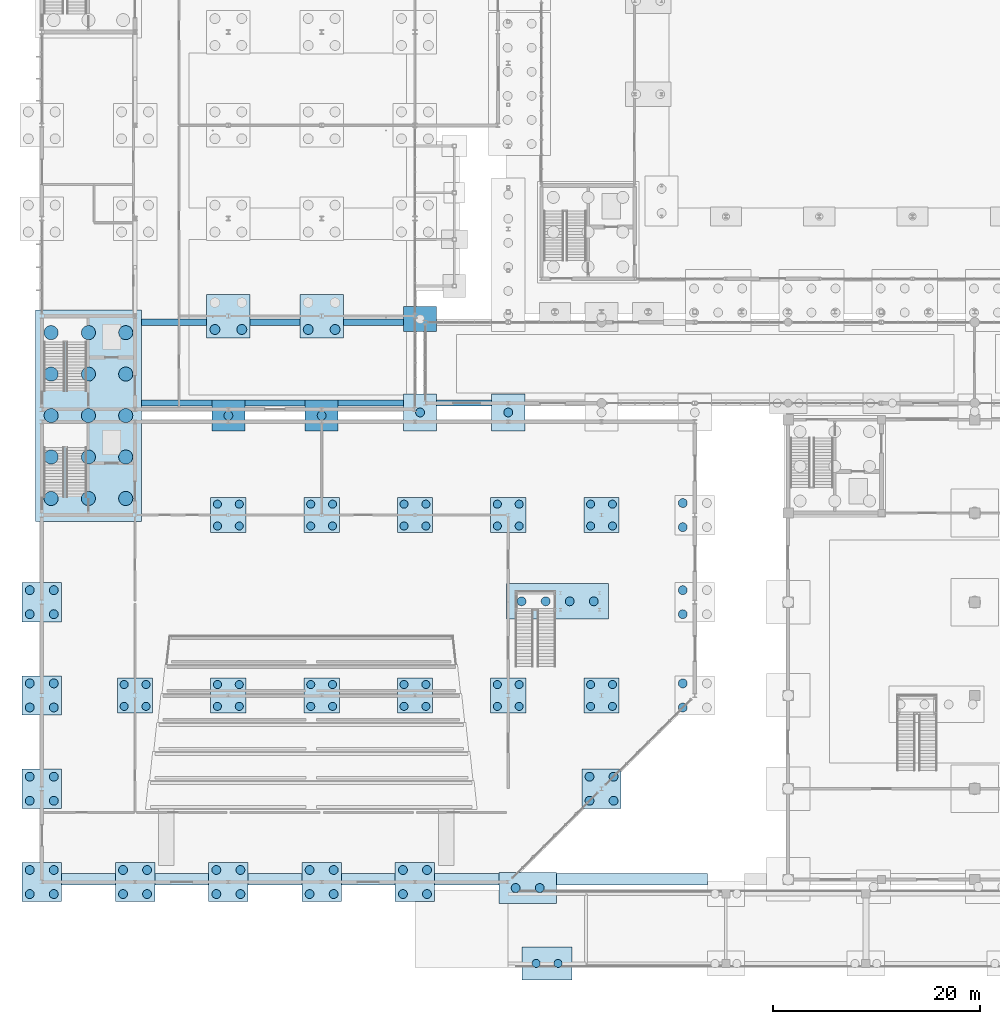
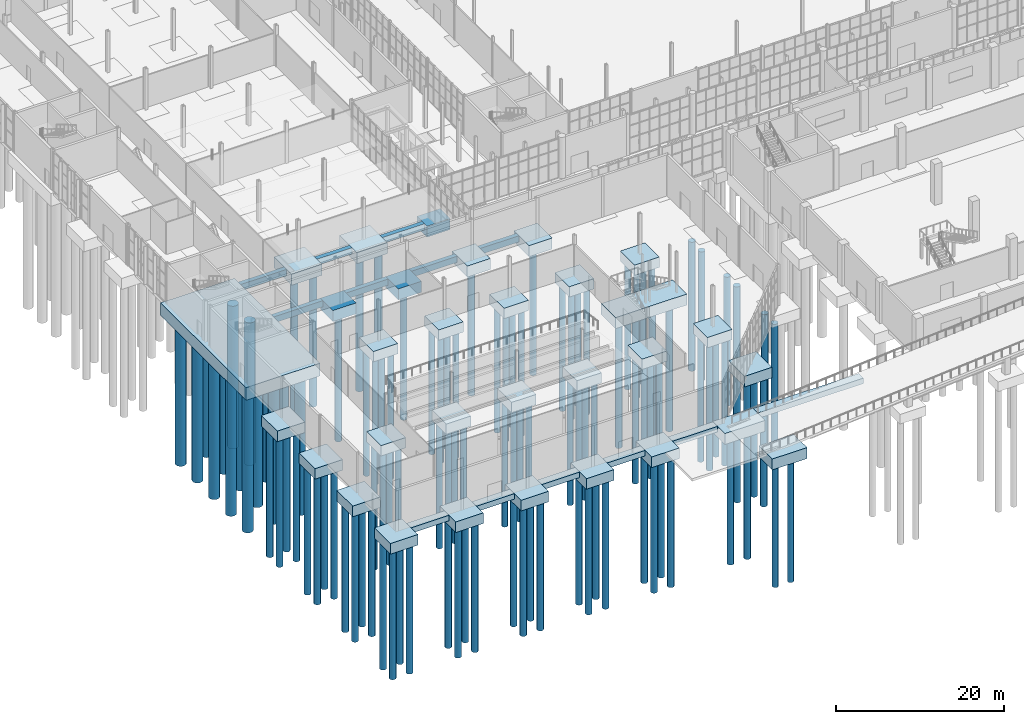
# One storey, part 1 of 131: 117 piles, 44 footings.
"""IFC4 building model written with IfcOpenShell, lengths in metres."""

import ifcopenshell
import ifcopenshell.guid

model = None  # the IFC model being written
_history = None  # IfcOwnerHistory: only IFC2X3 demands one
_inside = {}  # id of a spatial element -> (the spatial element, [elements in it])
_under = {}  # id of a project, library or spatial element -> (it, [spatial elements below it])
_declared = {}  # id of a project -> (the project, [libraries it declares])
_typed = {}  # id of a type object -> (the type object, [elements of that type])
_made_of = {}  # id of a material, layer set ... -> (it, [elements and type objects made of it])


def new_model(schema):
    """Start an empty IFC model of exactly this schema.

    Asked for "IFC4X3", IfcOpenShell would pick the latest addendum, in which some entities
    have other attributes; the version numbers below select the first issue.
    IFC2X3 requires an IfcOwnerHistory on every rooted entity: one is made here for all.
    """
    global model, _history
    if schema == "IFC4X3":
        model = ifcopenshell.file(schema_version=(4, 3, 0, 0))
    else:
        model = ifcopenshell.file(schema=schema)
    _inside.clear()
    _under.clear()
    _declared.clear()
    _typed.clear()
    _made_of.clear()
    _history = None
    if model.schema == "IFC2X3":
        org = make("IfcOrganization", Name="unknown")
        user = make(
            "IfcPersonAndOrganization",
            ThePerson=make("IfcPerson", FamilyName="unknown"),
            TheOrganization=org,
        )
        app = make(
            "IfcApplication",
            ApplicationDeveloper=org,
            Version="unknown",
            ApplicationFullName="unknown",
            ApplicationIdentifier="unknown",
        )
        _history = make(
            "IfcOwnerHistory",
            OwningUser=user,
            OwningApplication=app,
            ChangeAction="ADDED",
            CreationDate=0,
        )
    return model


def make(cls, **values):
    """One entity of the class cls with the attributes given. An attribute that is None is left unset."""
    return model.create_entity(
        cls, **{name: value for name, value in values.items() if value is not None}
    )


def rooted(cls, **values):
    """An entity with a GlobalId (a new one), such as an element, a storey or a relation."""
    return make(cls, GlobalId=ifcopenshell.guid.new(), OwnerHistory=_history, **values)


def si_unit(unit_type, name, prefix=None):
    """IfcSIUnit, for example si_unit("LENGTHUNIT", "METRE", prefix="MILLI")."""
    return make("IfcSIUnit", UnitType=unit_type, Prefix=prefix, Name=name)


def assignment(units):
    """IfcUnitAssignment: the units of a project."""
    return None if units is None else make("IfcUnitAssignment", Units=units)


def point(xyz):
    """IfcCartesianPoint."""
    return None if xyz is None else make("IfcCartesianPoint", Coordinates=xyz)


def direction(xyz):
    """IfcDirection."""
    return None if xyz is None else make("IfcDirection", DirectionRatios=xyz)


def frame(location, z_axis=None, x_axis=None):
    """IfcAxis2Placement3D, a coordinate frame: its origin and axes. An axis left out is left unset."""
    return make(
        "IfcAxis2Placement3D",
        Location=point(location),
        Axis=direction(z_axis),
        RefDirection=direction(x_axis),
    )


def frame_2d(location, x_axis=None):
    """IfcAxis2Placement2D, a coordinate frame in the plane: its origin and x axis."""
    return make(
        "IfcAxis2Placement2D", Location=point(location), RefDirection=direction(x_axis)
    )


def origin():
    """The frame at (0, 0, 0) with its axes left unset."""
    return frame((0.0, 0.0, 0.0))


def origin_2d():
    """The frame at (0, 0) in the plane with its x axis left unset."""
    return frame_2d((0.0, 0.0))


def place(relative_to, where):
    """IfcLocalPlacement: puts the frame where relative to a parent placement (None: the world)."""
    return make(
        "IfcLocalPlacement", PlacementRelTo=relative_to, RelativePlacement=where
    )


def context(
    kind, dimensions, precision=None, world=None, true_north=None, identifier=None
):
    """IfcGeometricRepresentationContext, for example the 3D "Model" context."""
    return make(
        "IfcGeometricRepresentationContext",
        ContextIdentifier=identifier,
        ContextType=kind,
        CoordinateSpaceDimension=dimensions,
        Precision=precision,
        WorldCoordinateSystem=world,
        TrueNorth=true_north,
    )


def subcontext(parent, identifier, kind, view, scale=None):
    """IfcGeometricRepresentationSubContext, for example "Body" below "Model"."""
    return make(
        "IfcGeometricRepresentationSubContext",
        ContextIdentifier=identifier,
        ContextType=kind,
        ParentContext=parent,
        TargetScale=scale,
        TargetView=view,
    )


def project(units=None, contexts=None):
    """IfcProject with its units and contexts."""
    return rooted(
        "IfcProject",
        Name="project",
        RepresentationContexts=contexts,
        UnitsInContext=assignment(units),
    )


def spatial(cls, under=None, at=None, **own):
    """A site, building, storey or space (cls), placed at a placement, below another one or the project."""
    s = rooted(cls, ObjectPlacement=at, **own)
    if under is not None:
        _under.setdefault(under.id(), (under, []))[1].append(s)
    return s


def profile(cls, at=None, kind="AREA", **sizes):
    """A parametric profile (cls). Its sizes go by their IFC names, for example OverallWidth=200.0."""
    return make(cls, ProfileType=kind, Position=at, **sizes)


def rectangle(**sizes):
    """IfcRectangleProfileDef."""
    return profile("IfcRectangleProfileDef", **sizes)


def circle(**sizes):
    """IfcCircleProfileDef."""
    return profile("IfcCircleProfileDef", **sizes)


def extrude(swept, where, along, depth):
    """IfcExtrudedAreaSolid: the profile swept, set in the frame where, extruded along a direction by depth."""
    return make(
        "IfcExtrudedAreaSolid",
        SweptArea=swept,
        Position=where,
        ExtrudedDirection=direction(along),
        Depth=depth,
    )


def shape(context_of_items, identifier, shape_type, items):
    """IfcShapeRepresentation: the items that make up one representation, for example the "Body"."""
    return make(
        "IfcShapeRepresentation",
        ContextOfItems=context_of_items,
        RepresentationIdentifier=identifier,
        RepresentationType=shape_type,
        Items=items,
    )


def material(Name=None, Category=None):
    """IfcMaterial."""
    return make("IfcMaterial", Name=Name, Category=Category)


def material_profile(
    of_material, cross_section, Name=None, Category=None, Priority=None
):
    """IfcMaterialProfile: a cross section and its material."""
    return make(
        "IfcMaterialProfile",
        Name=Name,
        Material=of_material,
        Profile=cross_section,
        Priority=Priority,
        Category=Category,
    )


def profile_set(profiles, Name=None, composite=None):
    """IfcMaterialProfileSet."""
    return make(
        "IfcMaterialProfileSet",
        Name=Name,
        MaterialProfiles=profiles,
        CompositeProfile=composite,
    )


def made_of(thing, what):
    """Note that an element or type object is made of a material, layer set ...; save() writes the relation."""
    if what is not None:
        _made_of.setdefault(what.id(), (what, []))[1].append(thing)
    return thing


def type_object(cls, material=None, **own):
    """A type object (cls), such as IfcWallType, which elements share."""
    return made_of(rooted(cls, **own), material)


def element(
    cls,
    number,
    at=None,
    inside=None,
    cuts=None,
    type_object=None,
    material=None,
    context=None,
    identifier="Body",
    shape_type=None,
    held_by="IfcProductDefinitionShape",
    body=None,
    shapes=None,
    **own,
):
    """One element of the class cls, such as IfcWall. Its Tag is "e" and its number.

    at: its placement. inside: the storey or other place that contains it. cuts: it is an
    opening in that element (IfcRelVoidsElement). A single representation is given by context,
    identifier, shape_type and body (its items); several are given by shapes. held_by: the class
    of the entity that holds the representations. save() writes the other relations.
    """
    e = rooted(cls, Tag="e%d" % number, ObjectPlacement=at, **own)
    if body is not None:
        shapes = [shape(context, identifier, shape_type, body)]
    if shapes is not None:
        e.Representation = make(held_by, Representations=shapes)
    if inside is not None:
        _inside.setdefault(inside.id(), (inside, []))[1].append(e)
    if cuts is not None:
        rooted(
            "IfcRelVoidsElement", RelatingBuildingElement=cuts, RelatedOpeningElement=e
        )
    if type_object is not None:
        _typed.setdefault(type_object.id(), (type_object, []))[1].append(e)
    return made_of(e, material)


def aggregate(whole, parts):
    """IfcRelAggregates: a whole, such as a stair, and the parts it consists of."""
    return rooted("IfcRelAggregates", RelatingObject=whole, RelatedObjects=parts)


def save(model, path):
    """Write the relations noted so far, then the file.

    IfcRelAggregates (storeys below a building ...), IfcRelContainedInSpatialStructure (elements
    in a storey), IfcRelDefinesByType, IfcRelAssociatesMaterial and IfcRelDeclares: one each for
    every whole, place, type object, material and project.
    """
    for whole, parts in _under.values():
        aggregate(whole, parts)
    for where, things in _inside.values():
        rooted(
            "IfcRelContainedInSpatialStructure",
            RelatedElements=things,
            RelatingStructure=where,
        )
    for kind, things in _typed.values():
        rooted("IfcRelDefinesByType", RelatedObjects=things, RelatingType=kind)
    for what, things in _made_of.values():
        rooted("IfcRelAssociatesMaterial", RelatedObjects=things, RelatingMaterial=what)
    for by, libraries in _declared.values():
        rooted("IfcRelDeclares", RelatingContext=by, RelatedDefinitions=libraries)
    model.write(path)


model = new_model("IFC4")

# Units and contexts
model_context = context("Model", 3, precision=1e-05, world=origin(), true_north=direction((0.0, 1.0)))
body_context = subcontext(model_context, "Body", "Model", "MODEL_VIEW")
ifc_project = project(units=[si_unit("LENGTHUNIT", "METRE"), si_unit("AREAUNIT", "SQUARE_METRE"), si_unit("VOLUMEUNIT", "CUBIC_METRE"), si_unit("PLANEANGLEUNIT", "RADIAN"), si_unit("MASSUNIT", "GRAM", prefix="KILO")], contexts=[model_context])

# Site, building, storey
site_placement = place(None, origin())
site = spatial("IfcSite", under=ifc_project, at=site_placement, CompositionType="ELEMENT")
building_placement = place(site_placement, origin())
building = spatial("IfcBuilding", under=site, at=building_placement, Name="Cazmaro Siding Exhibition Halls", CompositionType="ELEMENT")
storey_placement = place(building_placement, origin())
storey = spatial("IfcBuildingStorey", under=building, at=storey_placement, Name="L00", CompositionType="ELEMENT", Elevation=0.0)

# Footings
ifc_material_1 = material(Name="Concrete f'c 35 MPa", Category="concrete")
footing_type_1 = type_object("IfcFootingType", Name="GB-0480", PredefinedType="FOOTING_BEAM", material=ifc_material_1)
footing_1_placement = place(storey_placement, frame((22.5, 63.0, -0.89990234375), z_axis=(0.0, 0.0, 1.0), x_axis=(1.0, 0.0, 0.0)))
element("IfcFooting", 1, at=footing_1_placement, inside=storey, type_object=footing_type_1, Name="Seismic tie ground beam GB-0480 FTG-0264", PredefinedType="FOOTING_BEAM", context=body_context, shape_type="SweptSolid", body=[
    extrude(rectangle(XDim=4.800048828125, YDim=0.60009765625, at=origin_2d()), origin(), (0.0, 0.0, 1.0), 0.89990234375),
])
ifc_material_2 = material(Name="Concrete f'c 35 MPa", Category="concrete")
footing_type_2 = type_object("IfcFootingType", Name="GB-0530", PredefinedType="FOOTING_BEAM", material=ifc_material_2)
footing_2_placement = place(storey_placement, frame((40.75, 55.199951171875, -0.89990234375), z_axis=(0.0, 0.0, 1.0), x_axis=(1.0, 0.0, 0.0)))
element("IfcFooting", 2, at=footing_2_placement, inside=storey, type_object=footing_type_2, Name="Seismic tie ground beam GB-0530 FTG-0246", PredefinedType="FOOTING_BEAM", context=body_context, shape_type="SweptSolid", body=[
    extrude(rectangle(XDim=5.300048828125, YDim=0.60009765625, at=origin_2d()), origin(), (0.0, 0.0, 1.0), 0.89990234375),
])
ifc_material_3 = material(Name="Concrete f'c 35 MPa", Category="concrete")
footing_type_3 = type_object("IfcFootingType", Name="GB-0580", PredefinedType="FOOTING_BEAM", material=ifc_material_3)
for number, where, z_axis, x_axis, name in (
    (3, (22.5, 55.199951171875, -0.89990234375), (0.0, 0.0, 1.0), (1.0, 0.0, 0.0), "Seismic tie ground beam GB-0580 FTG-0244"),
    (4, (32.0, 63.0, -0.89990234375), (0.0, 0.0, 1.0), (1.0, 0.0, 0.0), "Seismic tie ground beam GB-0580 FTG-0265"),
):
    element("IfcFooting", number, at=place(storey_placement, frame(where, z_axis=z_axis, x_axis=x_axis)), inside=storey, type_object=footing_type_3, Name=name, PredefinedType="FOOTING_BEAM", context=body_context, shape_type="SweptSolid", body=[
        extrude(rectangle(XDim=5.800048828125, YDim=0.60009765625, at=origin_2d()), origin(), (0.0, 0.0, 1.0), 0.89990234375),
    ])
ifc_material_4 = material(Name="Concrete f'c 35 MPa", Category="concrete")
footing_type_4 = type_object("IfcFootingType", Name="GB-0630", PredefinedType="FOOTING_BEAM", material=ifc_material_4)
for number, where, z_axis, x_axis, name in (
    (5, (31.75, 55.199951171875, -0.89990234375), (0.0, 0.0, 1.0), (1.0, 0.0, 0.0), "Seismic tie ground beam GB-0630 FTG-0245"),
    (6, (12.75, 63.0, -0.89990234375), (0.0, 0.0, 1.0), (1.0, 0.0, 0.0), "Seismic tie ground beam GB-0630 FTG-0263"),
):
    element("IfcFooting", number, at=place(storey_placement, frame(where, z_axis=z_axis, x_axis=x_axis)), inside=storey, type_object=footing_type_4, Name=name, PredefinedType="FOOTING_BEAM", context=body_context, shape_type="SweptSolid", body=[
        extrude(rectangle(XDim=6.300048828125, YDim=0.60009765625, at=origin_2d()), origin(), (0.0, 0.0, 1.0), 0.89990234375),
    ])
ifc_material_5 = material(Name="Concrete f'c 35 MPa", Category="concrete")
footing_type_5 = type_object("IfcFootingType", Name="GB-0680", PredefinedType="FOOTING_BEAM", material=ifc_material_5)
footing_3_placement = place(storey_placement, frame((13.0, 55.199951171875, -0.89990234375), z_axis=(0.0, 0.0, 1.0), x_axis=(1.0, 0.0, 0.0)))
element("IfcFooting", 7, at=footing_3_placement, inside=storey, type_object=footing_type_5, Name="Seismic tie ground beam GB-0680 FTG-0243", PredefinedType="FOOTING_BEAM", context=body_context, shape_type="SweptSolid", body=[
    extrude(rectangle(XDim=6.800048828125, YDim=0.60009765625, at=origin_2d()), origin(), (0.0, 0.0, 1.0), 0.89990234375),
])

# Piles
ifc_material_6 = material(Name="Concrete f'c 35 MPa", Category="concrete")
ifc_material_profile_1 = material_profile(ifc_material_6, circle(Radius=0.389892578125, at=origin_2d()), Name="CIDH-780")
ifc_profile_set_1 = profile_set([ifc_material_profile_1], Name="Concrete f'c 35 MPa")
pile_type_1 = type_object("IfcPileType", Name="P-02", PredefinedType="BORED", material=ifc_profile_set_1)
for number, where, z_axis, x_axis, name in (
    (8, (7.947021484375, 25.947021484375, -1.39990234375), (0.0, 0.0, -1.0), (1.0, 0.0, 0.0), "Bored pile P-02 PIL-0110"),
    (9, (10.052978515625, 25.947021484375, -1.39990234375), (0.0, 0.0, -1.0), (1.0, 0.0, 0.0), "Bored pile P-02 PIL-0111"),
    (10, (7.947021484375, 28.052978515625, -1.39990234375), (0.0, 0.0, -1.0), (1.0, 0.0, 0.0), "Bored pile P-02 PIL-0112"),
    (11, (10.052978515625, 28.052978515625, -1.39990234375), (0.0, 0.0, -1.0), (1.0, 0.0, 0.0), "Bored pile P-02 PIL-0113"),
    (12, (16.947021484375, 25.947021484375, -1.39990234375), (0.0, 0.0, -1.0), (1.0, 0.0, 0.0), "Bored pile P-02 PIL-0138"),
    (13, (19.052978515625, 25.947021484375, -1.39990234375), (0.0, 0.0, -1.0), (1.0, 0.0, 0.0), "Bored pile P-02 PIL-0139"),
    (14, (16.947021484375, 28.052978515625, -1.39990234375), (0.0, 0.0, -1.0), (1.0, 0.0, 0.0), "Bored pile P-02 PIL-0140"),
    (15, (19.052978515625, 28.052978515625, -1.39990234375), (0.0, 0.0, -1.0), (1.0, 0.0, 0.0), "Bored pile P-02 PIL-0141"),
    (16, (16.947021484375, 43.346923828125, -1.39990234375), (0.0, 0.0, -1.0), (1.0, 0.0, 0.0), "Bored pile P-02 PIL-0142"),
    (17, (19.052978515625, 43.346923828125, -1.39990234375), (0.0, 0.0, -1.0), (1.0, 0.0, 0.0), "Bored pile P-02 PIL-0143"),
    (18, (16.947021484375, 45.452880859375, -1.39990234375), (0.0, 0.0, -1.0), (1.0, 0.0, 0.0), "Bored pile P-02 PIL-0144"),
    (19, (19.052978515625, 45.452880859375, -1.39990234375), (0.0, 0.0, -1.0), (1.0, 0.0, 0.0), "Bored pile P-02 PIL-0145"),
    (20, (25.947021484375, 25.947021484375, -1.39990234375), (0.0, 0.0, -1.0), (1.0, 0.0, 0.0), "Bored pile P-02 PIL-0183"),
    (21, (28.052978515625, 25.947021484375, -1.39990234375), (0.0, 0.0, -1.0), (1.0, 0.0, 0.0), "Bored pile P-02 PIL-0184"),
    (22, (25.947021484375, 28.052978515625, -1.39990234375), (0.0, 0.0, -1.0), (1.0, 0.0, 0.0), "Bored pile P-02 PIL-0185"),
    (23, (28.052978515625, 28.052978515625, -1.39990234375), (0.0, 0.0, -1.0), (1.0, 0.0, 0.0), "Bored pile P-02 PIL-0186"),
    (24, (25.947021484375, 43.346923828125, -1.39990234375), (0.0, 0.0, -1.0), (1.0, 0.0, 0.0), "Bored pile P-02 PIL-0187"),
    (25, (28.052978515625, 43.346923828125, -1.39990234375), (0.0, 0.0, -1.0), (1.0, 0.0, 0.0), "Bored pile P-02 PIL-0188"),
    (26, (25.947021484375, 45.452880859375, -1.39990234375), (0.0, 0.0, -1.0), (1.0, 0.0, 0.0), "Bored pile P-02 PIL-0189"),
    (27, (28.052978515625, 45.452880859375, -1.39990234375), (0.0, 0.0, -1.0), (1.0, 0.0, 0.0), "Bored pile P-02 PIL-0190"),
    (28, (34.947021484375, 25.947021484375, -1.39990234375), (0.0, 0.0, -1.0), (1.0, 0.0, 0.0), "Bored pile P-02 PIL-0228"),
    (29, (37.052978515625, 25.947021484375, -1.39990234375), (0.0, 0.0, -1.0), (1.0, 0.0, 0.0), "Bored pile P-02 PIL-0229"),
    (30, (34.947021484375, 28.052978515625, -1.39990234375), (0.0, 0.0, -1.0), (1.0, 0.0, 0.0), "Bored pile P-02 PIL-0230"),
    (31, (37.052978515625, 28.052978515625, -1.39990234375), (0.0, 0.0, -1.0), (1.0, 0.0, 0.0), "Bored pile P-02 PIL-0231"),
    (32, (34.947021484375, 43.346923828125, -1.39990234375), (0.0, 0.0, -1.0), (1.0, 0.0, 0.0), "Bored pile P-02 PIL-0232"),
    (33, (37.052978515625, 43.346923828125, -1.39990234375), (0.0, 0.0, -1.0), (1.0, 0.0, 0.0), "Bored pile P-02 PIL-0233"),
    (34, (34.947021484375, 45.452880859375, -1.39990234375), (0.0, 0.0, -1.0), (1.0, 0.0, 0.0), "Bored pile P-02 PIL-0234"),
    (35, (37.052978515625, 45.452880859375, -1.39990234375), (0.0, 0.0, -1.0), (1.0, 0.0, 0.0), "Bored pile P-02 PIL-0235"),
    (36, (43.947021484375, 25.947021484375, -1.39990234375), (0.0, 0.0, -1.0), (1.0, 0.0, 0.0), "Bored pile P-02 PIL-0305"),
    (37, (46.052978515625, 25.947021484375, -1.39990234375), (0.0, 0.0, -1.0), (1.0, 0.0, 0.0), "Bored pile P-02 PIL-0306"),
    (38, (43.947021484375, 28.052978515625, -1.39990234375), (0.0, 0.0, -1.0), (1.0, 0.0, 0.0), "Bored pile P-02 PIL-0307"),
    (39, (46.052978515625, 28.052978515625, -1.39990234375), (0.0, 0.0, -1.0), (1.0, 0.0, 0.0), "Bored pile P-02 PIL-0308"),
    (40, (43.947021484375, 43.346923828125, -1.39990234375), (0.0, 0.0, -1.0), (1.0, 0.0, 0.0), "Bored pile P-02 PIL-0309"),
    (41, (46.052978515625, 43.346923828125, -1.39990234375), (0.0, 0.0, -1.0), (1.0, 0.0, 0.0), "Bored pile P-02 PIL-0310"),
    (42, (43.947021484375, 45.452880859375, -1.39990234375), (0.0, 0.0, -1.0), (1.0, 0.0, 0.0), "Bored pile P-02 PIL-0311"),
    (43, (46.052978515625, 45.452880859375, -1.39990234375), (0.0, 0.0, -1.0), (1.0, 0.0, 0.0), "Bored pile P-02 PIL-0312"),
    (44, (47.697021484375, 1.14990234375, -1.5), (0.0, 0.0, -1.0), (1.0, 0.0, 0.0), "Bored pile P-02 PIL-0324"),
    (45, (49.802978515625, 1.14990234375, -1.5), (0.0, 0.0, -1.0), (1.0, 0.0, 0.0), "Bored pile P-02 PIL-0325"),
    (46, (52.947021484375, 25.947021484375, -1.39990234375), (0.0, 0.0, -1.0), (1.0, 0.0, 0.0), "Bored pile P-02 PIL-0332"),
    (47, (55.052978515625, 25.947021484375, -1.39990234375), (0.0, 0.0, -1.0), (1.0, 0.0, 0.0), "Bored pile P-02 PIL-0333"),
    (48, (52.947021484375, 28.052978515625, -1.39990234375), (0.0, 0.0, -1.0), (1.0, 0.0, 0.0), "Bored pile P-02 PIL-0334"),
    (49, (55.052978515625, 28.052978515625, -1.39990234375), (0.0, 0.0, -1.0), (1.0, 0.0, 0.0), "Bored pile P-02 PIL-0335"),
    (50, (52.947021484375, 43.346923828125, -1.39990234375), (0.0, 0.0, -1.0), (1.0, 0.0, 0.0), "Bored pile P-02 PIL-0336"),
    (51, (55.052978515625, 43.346923828125, -1.39990234375), (0.0, 0.0, -1.0), (1.0, 0.0, 0.0), "Bored pile P-02 PIL-0337"),
    (52, (52.947021484375, 45.452880859375, -1.39990234375), (0.0, 0.0, -1.0), (1.0, 0.0, 0.0), "Bored pile P-02 PIL-0338"),
    (53, (55.052978515625, 45.452880859375, -1.39990234375), (0.0, 0.0, -1.0), (1.0, 0.0, 0.0), "Bored pile P-02 PIL-0339"),
):
    element("IfcPile", number, at=place(storey_placement, frame(where, z_axis=z_axis, x_axis=x_axis)), inside=storey, type_object=pile_type_1, Name=name, PredefinedType="BORED", context=body_context, shape_type="SweptSolid", body=[
        extrude(circle(Radius=0.389892578125, at=origin_2d()), origin(), (0.0, 0.0, 1.0), 18.39990234375),
    ])
ifc_material_7 = material(Name="Concrete f'c 35 MPa", Category="concrete")
ifc_material_profile_2 = material_profile(ifc_material_7, circle(Radius=0.429931640625, at=origin_2d()), Name="CIDH-860")
ifc_profile_set_2 = profile_set([ifc_material_profile_2], Name="Concrete f'c 35 MPa")
pile_type_2 = type_object("IfcPileType", Name="P-03", PredefinedType="BORED", material=ifc_profile_set_2)
for number, where, z_axis, x_axis, name in (
    (54, (-1.160888671875, 7.839111328125, -1.449951171875), (0.0, 0.0, -1.0), (1.0, 0.0, 0.0), "Bored pile P-03 PIL-0070"),
    (55, (1.160888671875, 7.839111328125, -1.449951171875), (0.0, 0.0, -1.0), (1.0, 0.0, 0.0), "Bored pile P-03 PIL-0071"),
    (56, (-1.160888671875, 10.160888671875, -1.449951171875), (0.0, 0.0, -1.0), (1.0, 0.0, 0.0), "Bored pile P-03 PIL-0072"),
    (57, (1.160888671875, 10.160888671875, -1.449951171875), (0.0, 0.0, -1.0), (1.0, 0.0, 0.0), "Bored pile P-03 PIL-0073"),
    (58, (-1.160888671875, 16.839111328125, -1.449951171875), (0.0, 0.0, -1.0), (1.0, 0.0, 0.0), "Bored pile P-03 PIL-0074"),
    (59, (1.160888671875, 16.839111328125, -1.449951171875), (0.0, 0.0, -1.0), (1.0, 0.0, 0.0), "Bored pile P-03 PIL-0075"),
    (60, (-1.160888671875, 19.160888671875, -1.449951171875), (0.0, 0.0, -1.0), (1.0, 0.0, 0.0), "Bored pile P-03 PIL-0076"),
    (61, (1.160888671875, 19.160888671875, -1.449951171875), (0.0, 0.0, -1.0), (1.0, 0.0, 0.0), "Bored pile P-03 PIL-0077"),
    (62, (-1.160888671875, 25.839111328125, -1.449951171875), (0.0, 0.0, -1.0), (1.0, 0.0, 0.0), "Bored pile P-03 PIL-0078"),
    (63, (1.160888671875, 25.839111328125, -1.449951171875), (0.0, 0.0, -1.0), (1.0, 0.0, 0.0), "Bored pile P-03 PIL-0079"),
    (64, (-1.160888671875, 28.160888671875, -1.449951171875), (0.0, 0.0, -1.0), (1.0, 0.0, 0.0), "Bored pile P-03 PIL-0080"),
    (65, (1.160888671875, 28.160888671875, -1.449951171875), (0.0, 0.0, -1.0), (1.0, 0.0, 0.0), "Bored pile P-03 PIL-0081"),
    (66, (-1.160888671875, 34.839111328125, -1.449951171875), (0.0, 0.0, -1.0), (1.0, 0.0, 0.0), "Bored pile P-03 PIL-0082"),
    (67, (1.160888671875, 34.839111328125, -1.449951171875), (0.0, 0.0, -1.0), (1.0, 0.0, 0.0), "Bored pile P-03 PIL-0083"),
    (68, (-1.160888671875, 37.160888671875, -1.449951171875), (0.0, 0.0, -1.0), (1.0, 0.0, 0.0), "Bored pile P-03 PIL-0084"),
    (69, (1.160888671875, 37.160888671875, -1.449951171875), (0.0, 0.0, -1.0), (1.0, 0.0, 0.0), "Bored pile P-03 PIL-0085"),
    (70, (7.839111328125, 7.839111328125, -1.449951171875), (0.0, 0.0, -1.0), (1.0, 0.0, 0.0), "Bored pile P-03 PIL-0106"),
    (71, (10.160888671875, 7.839111328125, -1.449951171875), (0.0, 0.0, -1.0), (1.0, 0.0, 0.0), "Bored pile P-03 PIL-0107"),
    (72, (7.839111328125, 10.160888671875, -1.449951171875), (0.0, 0.0, -1.0), (1.0, 0.0, 0.0), "Bored pile P-03 PIL-0108"),
    (73, (10.160888671875, 10.160888671875, -1.449951171875), (0.0, 0.0, -1.0), (1.0, 0.0, 0.0), "Bored pile P-03 PIL-0109"),
    (74, (16.839111328125, 7.839111328125, -1.449951171875), (0.0, 0.0, -1.0), (1.0, 0.0, 0.0), "Bored pile P-03 PIL-0134"),
    (75, (19.160888671875, 7.839111328125, -1.449951171875), (0.0, 0.0, -1.0), (1.0, 0.0, 0.0), "Bored pile P-03 PIL-0135"),
    (76, (16.839111328125, 10.160888671875, -1.449951171875), (0.0, 0.0, -1.0), (1.0, 0.0, 0.0), "Bored pile P-03 PIL-0136"),
    (77, (19.160888671875, 10.160888671875, -1.449951171875), (0.0, 0.0, -1.0), (1.0, 0.0, 0.0), "Bored pile P-03 PIL-0137"),
    (78, (18.0, 54.0, -1.5), (0.0, 0.0, -1.0), (1.0, 0.0, 0.0), "Bored pile P-03 PIL-0146"),
    (79, (25.839111328125, 7.839111328125, -1.449951171875), (0.0, 0.0, -1.0), (1.0, 0.0, 0.0), "Bored pile P-03 PIL-0179"),
    (80, (28.160888671875, 7.839111328125, -1.449951171875), (0.0, 0.0, -1.0), (1.0, 0.0, 0.0), "Bored pile P-03 PIL-0180"),
    (81, (25.839111328125, 10.160888671875, -1.449951171875), (0.0, 0.0, -1.0), (1.0, 0.0, 0.0), "Bored pile P-03 PIL-0181"),
    (82, (28.160888671875, 10.160888671875, -1.449951171875), (0.0, 0.0, -1.0), (1.0, 0.0, 0.0), "Bored pile P-03 PIL-0182"),
    (83, (27.0, 54.0, -1.5), (0.0, 0.0, -1.0), (1.0, 0.0, 0.0), "Bored pile P-03 PIL-0191"),
    (84, (34.839111328125, 7.839111328125, -1.449951171875), (0.0, 0.0, -1.0), (1.0, 0.0, 0.0), "Bored pile P-03 PIL-0224"),
    (85, (37.160888671875, 7.839111328125, -1.449951171875), (0.0, 0.0, -1.0), (1.0, 0.0, 0.0), "Bored pile P-03 PIL-0225"),
    (86, (34.839111328125, 10.160888671875, -1.449951171875), (0.0, 0.0, -1.0), (1.0, 0.0, 0.0), "Bored pile P-03 PIL-0226"),
    (87, (37.160888671875, 10.160888671875, -1.449951171875), (0.0, 0.0, -1.0), (1.0, 0.0, 0.0), "Bored pile P-03 PIL-0227"),
    (88, (36.5, 54.300048828125, -1.5), (0.0, 0.0, -1.0), (1.0, 0.0, 0.0), "Bored pile P-03 PIL-0236"),
    (89, (45.714111328125, 8.425048828125, -1.5), (0.0, 0.0, -1.0), (1.0, 0.0, 0.0), "Bored pile P-03 PIL-0303"),
    (90, (48.035888671875, 8.425048828125, -1.5), (0.0, 0.0, -1.0), (1.0, 0.0, 0.0), "Bored pile P-03 PIL-0304"),
    (91, (45.0, 54.300048828125, -1.5), (0.0, 0.0, -1.0), (1.0, 0.0, 0.0), "Bored pile P-03 PIL-0313"),
    (92, (46.287109375, 36.080078125, -1.5), (0.0, 0.0, -1.0), (1.0, 0.0, 0.0), "Bored pile P-03 PIL-0320"),
    (93, (48.60888671875, 36.080078125, -1.5), (0.0, 0.0, -1.0), (1.0, 0.0, 0.0), "Bored pile P-03 PIL-0321"),
    (94, (50.930908203125, 36.080078125, -1.5), (0.0, 0.0, -1.0), (1.0, 0.0, 0.0), "Bored pile P-03 PIL-0322"),
    (95, (53.2529296875, 36.080078125, -1.5), (0.0, 0.0, -1.0), (1.0, 0.0, 0.0), "Bored pile P-03 PIL-0323"),
    (96, (52.839111328125, 16.839111328125, -1.449951171875), (0.0, 0.0, -1.0), (1.0, 0.0, 0.0), "Bored pile P-03 PIL-0328"),
    (97, (55.160888671875, 16.839111328125, -1.449951171875), (0.0, 0.0, -1.0), (1.0, 0.0, 0.0), "Bored pile P-03 PIL-0329"),
    (98, (52.839111328125, 19.160888671875, -1.449951171875), (0.0, 0.0, -1.0), (1.0, 0.0, 0.0), "Bored pile P-03 PIL-0330"),
    (99, (55.160888671875, 19.160888671875, -1.449951171875), (0.0, 0.0, -1.0), (1.0, 0.0, 0.0), "Bored pile P-03 PIL-0331"),
    (100, (61.839111328125, 25.839111328125, -1.449951171875), (0.0, 0.0, -1.0), (1.0, 0.0, 0.0), "Bored pile P-03 PIL-0362"),
    (101, (61.839111328125, 28.160888671875, -1.449951171875), (0.0, 0.0, -1.0), (1.0, 0.0, 0.0), "Bored pile P-03 PIL-0364"),
    (102, (61.839111328125, 34.839111328125, -1.449951171875), (0.0, 0.0, -1.0), (1.0, 0.0, 0.0), "Bored pile P-03 PIL-0366"),
    (103, (61.839111328125, 37.160888671875, -1.449951171875), (0.0, 0.0, -1.0), (1.0, 0.0, 0.0), "Bored pile P-03 PIL-0368"),
    (104, (61.839111328125, 43.239013671875, -1.449951171875), (0.0, 0.0, -1.0), (1.0, 0.0, 0.0), "Bored pile P-03 PIL-0370"),
    (105, (61.839111328125, 45.56103515625, -1.449951171875), (0.0, 0.0, -1.0), (1.0, 0.0, 0.0), "Bored pile P-03 PIL-0372"),
):
    element("IfcPile", number, at=place(storey_placement, frame(where, z_axis=z_axis, x_axis=x_axis)), inside=storey, type_object=pile_type_2, Name=name, PredefinedType="BORED", context=body_context, shape_type="SweptSolid", body=[
        extrude(circle(Radius=0.429931640625, at=origin_2d()), origin(), (0.0, 0.0, 1.0), 18.800048828125),
    ])
ifc_material_8 = material(Name="Concrete f'c 35 MPa", Category="concrete")
ifc_material_profile_3 = material_profile(ifc_material_8, circle(Radius=0.47998046875, at=origin_2d()), Name="CIDH-960")
ifc_profile_set_3 = profile_set([ifc_material_profile_3], Name="Concrete f'c 35 MPa")
pile_type_3 = type_object("IfcPileType", Name="P-04", PredefinedType="BORED", material=ifc_profile_set_3)
for number, where, z_axis, x_axis, name in (
    (106, (16.7041015625, 62.303955078125, -1.5), (0.0, 0.0, -1.0), (1.0, 0.0, 0.0), "Bored pile P-04 PIL-0147"),
    (107, (19.2958984375, 62.303955078125, -1.5), (0.0, 0.0, -1.0), (1.0, 0.0, 0.0), "Bored pile P-04 PIL-0148"),
    (108, (25.7041015625, 62.303955078125, -1.5), (0.0, 0.0, -1.0), (1.0, 0.0, 0.0), "Bored pile P-04 PIL-0192"),
    (109, (28.2958984375, 62.303955078125, -1.5), (0.0, 0.0, -1.0), (1.0, 0.0, 0.0), "Bored pile P-04 PIL-0193"),
):
    element("IfcPile", number, at=place(storey_placement, frame(where, z_axis=z_axis, x_axis=x_axis)), inside=storey, type_object=pile_type_3, Name=name, PredefinedType="BORED", context=body_context, shape_type="SweptSolid", body=[
        extrude(circle(Radius=0.47998046875, at=origin_2d()), origin(), (0.0, 0.0, 1.0), 19.199951171875),
    ])
ifc_material_9 = material(Name="Concrete f'c 35 MPa", Category="concrete")
ifc_material_profile_4 = material_profile(ifc_material_9, circle(Radius=0.679931640625, at=origin_2d()), Name="CIDH-1360")
ifc_profile_set_4 = profile_set([ifc_material_profile_4], Name="Concrete f'c 35 MPa")
pile_type_4 = type_object("IfcPileType", Name="P-08", PredefinedType="BORED", material=ifc_profile_set_4)
for number, where, z_axis, x_axis, name in (
    (110, (0.89990234375, 46.0, -1.75), (0.0, 0.0, -1.0), (1.0, 0.0, 0.0), "Bored pile P-08 PIL-0001"),
    (111, (0.89990234375, 50.0, -1.75), (0.0, 0.0, -1.0), (1.0, 0.0, 0.0), "Bored pile P-08 PIL-0002"),
    (112, (0.89990234375, 54.0, -1.75), (0.0, 0.0, -1.0), (1.0, 0.0, 0.0), "Bored pile P-08 PIL-0003"),
    (113, (0.89990234375, 58.0, -1.75), (0.0, 0.0, -1.0), (1.0, 0.0, 0.0), "Bored pile P-08 PIL-0004"),
    (114, (0.89990234375, 62.0, -1.75), (0.0, 0.0, -1.0), (1.0, 0.0, 0.0), "Bored pile P-08 PIL-0005"),
    (115, (4.5, 46.0, -1.75), (0.0, 0.0, -1.0), (1.0, 0.0, 0.0), "Bored pile P-08 PIL-0006"),
    (116, (4.5, 50.0, -1.75), (0.0, 0.0, -1.0), (1.0, 0.0, 0.0), "Bored pile P-08 PIL-0007"),
    (117, (4.5, 54.0, -1.75), (0.0, 0.0, -1.0), (1.0, 0.0, 0.0), "Bored pile P-08 PIL-0008"),
    (118, (4.5, 58.0, -1.75), (0.0, 0.0, -1.0), (1.0, 0.0, 0.0), "Bored pile P-08 PIL-0009"),
    (119, (4.5, 62.0, -1.75), (0.0, 0.0, -1.0), (1.0, 0.0, 0.0), "Bored pile P-08 PIL-0010"),
    (120, (8.10009765625, 46.0, -1.75), (0.0, 0.0, -1.0), (1.0, 0.0, 0.0), "Bored pile P-08 PIL-0011"),
    (121, (8.10009765625, 50.0, -1.75), (0.0, 0.0, -1.0), (1.0, 0.0, 0.0), "Bored pile P-08 PIL-0012"),
    (122, (8.10009765625, 54.0, -1.75), (0.0, 0.0, -1.0), (1.0, 0.0, 0.0), "Bored pile P-08 PIL-0013"),
    (123, (8.10009765625, 58.0, -1.75), (0.0, 0.0, -1.0), (1.0, 0.0, 0.0), "Bored pile P-08 PIL-0014"),
    (124, (8.10009765625, 62.0, -1.75), (0.0, 0.0, -1.0), (1.0, 0.0, 0.0), "Bored pile P-08 PIL-0015"),
):
    element("IfcPile", number, at=place(storey_placement, frame(where, z_axis=z_axis, x_axis=x_axis)), inside=storey, type_object=pile_type_4, Name=name, PredefinedType="BORED", context=body_context, shape_type="SweptSolid", body=[
        extrude(circle(Radius=0.679931640625, at=origin_2d()), origin(), (0.0, 0.0, 1.0), 20.800048828125),
    ])

# Footings
ifc_material_10 = material(Name="Concrete f'c 35 MPa", Category="concrete")
footing_type_6 = type_object("IfcFootingType", Name="PC-02", PredefinedType="PILE_CAP", material=ifc_material_10)
for number, where, z_axis, x_axis, name in (
    (125, (9.0, 27.0, -1.5), (0.0, 0.0, 1.0), (1.0, 0.0, 0.0), "Pile cap PC-02 FTG-0022"),
    (126, (18.0, 27.0, -1.5), (0.0, 0.0, 1.0), (1.0, 0.0, 0.0), "Pile cap PC-02 FTG-0029"),
    (127, (18.0, 44.39990234375, -1.5), (0.0, 0.0, 1.0), (1.0, 0.0, 0.0), "Pile cap PC-02 FTG-0030"),
    (128, (27.0, 27.0, -1.5), (0.0, 0.0, 1.0), (1.0, 0.0, 0.0), "Pile cap PC-02 FTG-0041"),
    (129, (27.0, 44.39990234375, -1.5), (0.0, 0.0, 1.0), (1.0, 0.0, 0.0), "Pile cap PC-02 FTG-0042"),
    (130, (36.0, 27.0, -1.5), (0.0, 0.0, 1.0), (1.0, 0.0, 0.0), "Pile cap PC-02 FTG-0053"),
    (131, (36.0, 44.39990234375, -1.5), (0.0, 0.0, 1.0), (1.0, 0.0, 0.0), "Pile cap PC-02 FTG-0054"),
    (132, (45.0, 27.0, -1.5), (0.0, 0.0, 1.0), (1.0, 0.0, 0.0), "Pile cap PC-02 FTG-0068"),
    (133, (45.0, 44.39990234375, -1.5), (0.0, 0.0, 1.0), (1.0, 0.0, 0.0), "Pile cap PC-02 FTG-0069"),
    (134, (54.0, 27.0, -1.5), (0.0, 0.0, 1.0), (1.0, 0.0, 0.0), "Pile cap PC-02 FTG-0077"),
    (135, (54.0, 44.39990234375, -1.5), (0.0, 0.0, 1.0), (1.0, 0.0, 0.0), "Pile cap PC-02 FTG-0078"),
):
    element("IfcFooting", number, at=place(storey_placement, frame(where, z_axis=z_axis, x_axis=x_axis)), inside=storey, type_object=footing_type_6, Name=name, PredefinedType="PILE_CAP", context=body_context, shape_type="SweptSolid", body=[
        extrude(rectangle(XDim=3.39990234375, YDim=3.39990234375, at=origin_2d()), origin(), (0.0, 0.0, 1.0), 1.5),
    ])
ifc_material_11 = material(Name="Concrete f'c 35 MPa", Category="concrete")
footing_type_7 = type_object("IfcFootingType", Name="PC-03", PredefinedType="PILE_CAP", material=ifc_material_11)
for number, where, z_axis, x_axis, name in (
    (136, (0.0, 9.0, -1.5498046875), (0.0, 0.0, 1.0), (1.0, 0.0, 0.0), "Pile cap PC-03 FTG-0012"),
    (137, (0.0, 18.0, -1.5498046875), (0.0, 0.0, 1.0), (1.0, 0.0, 0.0), "Pile cap PC-03 FTG-0013"),
    (138, (0.0, 27.0, -1.5498046875), (0.0, 0.0, 1.0), (1.0, 0.0, 0.0), "Pile cap PC-03 FTG-0014"),
    (139, (0.0, 36.0, -1.5498046875), (0.0, 0.0, 1.0), (1.0, 0.0, 0.0), "Pile cap PC-03 FTG-0015"),
    (140, (9.0, 9.0, -1.5498046875), (0.0, 0.0, 1.0), (1.0, 0.0, 0.0), "Pile cap PC-03 FTG-0021"),
    (141, (18.0, 9.0, -1.5498046875), (0.0, 0.0, 1.0), (1.0, 0.0, 0.0), "Pile cap PC-03 FTG-0028"),
    (142, (27.0, 9.0, -1.5498046875), (0.0, 0.0, 1.0), (1.0, 0.0, 0.0), "Pile cap PC-03 FTG-0040"),
    (143, (36.0, 9.0, -1.5498046875), (0.0, 0.0, 1.0), (1.0, 0.0, 0.0), "Pile cap PC-03 FTG-0052"),
    (144, (54.0, 18.0, -1.5498046875), (0.0, 0.0, 1.0), (1.0, 0.0, 0.0), "Pile cap PC-03 FTG-0076"),
):
    element("IfcFooting", number, at=place(storey_placement, frame(where, z_axis=z_axis, x_axis=x_axis)), inside=storey, type_object=footing_type_7, Name=name, PredefinedType="PILE_CAP", context=body_context, shape_type="SweptSolid", body=[
        extrude(rectangle(XDim=3.800048828125, YDim=3.800048828125, at=origin_2d()), origin(), (0.0, 0.0, 1.0), 1.550048828125),
    ])
ifc_material_12 = material(Name="Concrete f'c 35 MPa", Category="concrete")
footing_type_8 = type_object("IfcFootingType", Name="PC-04", PredefinedType="PILE_CAP", material=ifc_material_12)
for number, where, z_axis, x_axis, name in (
    (145, (18.0, 63.60009765625, -1.60009765625), (0.0, 0.0, 1.0), (1.0, 0.0, 0.0), "Pile cap PC-04 FTG-0032"),
    (146, (27.0, 63.60009765625, -1.60009765625), (0.0, 0.0, 1.0), (1.0, 0.0, 0.0), "Pile cap PC-04 FTG-0044"),
):
    element("IfcFooting", number, at=place(storey_placement, frame(where, z_axis=z_axis, x_axis=x_axis)), inside=storey, type_object=footing_type_8, Name=name, PredefinedType="PILE_CAP", context=body_context, shape_type="SweptSolid", body=[
        extrude(rectangle(XDim=4.199951171875, YDim=4.199951171875, at=origin_2d()), origin(), (0.0, 0.0, 1.0), 1.60009765625),
    ])
ifc_material_13 = material(Name="Concrete f'c 35 MPa", Category="concrete")
footing_type_9 = type_object("IfcFootingType", Name="PC-09", PredefinedType="PILE_CAP", material=ifc_material_13)
footing_4_placement = place(storey_placement, frame((48.75, 1.14990234375, -1.60009765625), z_axis=(0.0, 0.0, 1.0), x_axis=(1.0, 0.0, 0.0)))
element("IfcFooting", 147, at=footing_4_placement, inside=storey, type_object=footing_type_9, Name="Pile cap PC-09 FTG-0073", PredefinedType="PILE_CAP", context=body_context, shape_type="SweptSolid", body=[
    extrude(rectangle(XDim=4.800048828125, YDim=3.199951171875, at=origin_2d()), origin(), (0.0, 0.0, 1.0), 1.60009765625),
])
ifc_material_14 = material(Name="Concrete f'c 35 MPa", Category="concrete")
footing_type_10 = type_object("IfcFootingType", Name="PC-17", PredefinedType="PILE_CAP", material=ifc_material_14)
footing_5_placement = place(storey_placement, frame((4.5, 54.0, -1.85009765625), z_axis=(0.0, 0.0, 1.0), x_axis=(1.0, 0.0, 0.0)))
element("IfcFooting", 148, at=footing_5_placement, inside=storey, type_object=footing_type_10, Name="Pile cap PC-17 FTG-0001", PredefinedType="PILE_CAP", context=body_context, shape_type="SweptSolid", body=[
    extrude(rectangle(XDim=10.199951171875, YDim=20.39990234375, at=origin_2d()), origin(), (0.0, 0.0, 1.0), 1.85009765625),
])
ifc_material_15 = material(Name="Concrete f'c 35 MPa", Category="concrete")
footing_type_11 = type_object("IfcFootingType", Name="PC-18", PredefinedType="PILE_CAP", material=ifc_material_15)
footing_6_placement = place(storey_placement, frame((18.0, 54.0, -1.60009765625), z_axis=(0.0, 0.0, 1.0), x_axis=(1.0, 0.0, 0.0)))
element("IfcFooting", 149, at=footing_6_placement, inside=storey, type_object=footing_type_11, Name="Pile cap PC-18 FTG-0031", PredefinedType="PILE_CAP", context=body_context, shape_type="SweptSolid", body=[
    extrude(rectangle(XDim=3.199951171875, YDim=3.0, at=origin_2d()), origin(), (0.0, 0.0, 1.0), 1.60009765625),
])
ifc_material_16 = material(Name="Concrete f'c 35 MPa", Category="concrete")
footing_type_12 = type_object("IfcFootingType", Name="PC-19", PredefinedType="PILE_CAP", material=ifc_material_16)
footing_7_placement = place(storey_placement, frame((27.0, 54.0, -1.60009765625), z_axis=(0.0, 0.0, 1.0), x_axis=(1.0, 0.0, 0.0)))
element("IfcFooting", 150, at=footing_7_placement, inside=storey, type_object=footing_type_12, Name="Pile cap PC-19 FTG-0043", PredefinedType="PILE_CAP", context=body_context, shape_type="SweptSolid", body=[
    extrude(rectangle(XDim=3.199951171875, YDim=3.0, at=origin_2d()), origin(), (0.0, 0.0, 1.0), 1.60009765625),
])
ifc_material_17 = material(Name="Concrete f'c 35 MPa", Category="concrete")
footing_type_13 = type_object("IfcFootingType", Name="PC-20", PredefinedType="PILE_CAP", material=ifc_material_17)
footing_8_placement = place(storey_placement, frame((36.5, 54.300048828125, -1.60009765625), z_axis=(0.0, 0.0, 1.0), x_axis=(1.0, 0.0, 0.0)))
element("IfcFooting", 151, at=footing_8_placement, inside=storey, type_object=footing_type_13, Name="Pile cap PC-20 FTG-0055", PredefinedType="PILE_CAP", context=body_context, shape_type="SweptSolid", body=[
    extrude(rectangle(XDim=3.199951171875, YDim=3.60009765625, at=origin_2d()), origin(), (0.0, 0.0, 1.0), 1.60009765625),
])
ifc_material_18 = material(Name="Concrete f'c 35 MPa", Category="concrete")
footing_type_14 = type_object("IfcFootingType", Name="PC-21", PredefinedType="PILE_CAP", material=ifc_material_18)
footing_9_placement = place(storey_placement, frame((36.5, 63.300048828125, -1.60009765625), z_axis=(0.0, 0.0, 1.0), x_axis=(1.0, 0.0, 0.0)))
element("IfcFooting", 152, at=footing_9_placement, inside=storey, type_object=footing_type_14, Name="Pile cap PC-21 FTG-0056", PredefinedType="PILE_CAP", context=body_context, shape_type="SweptSolid", body=[
    extrude(rectangle(XDim=3.199951171875, YDim=2.39990234375, at=origin_2d()), origin(), (0.0, 0.0, 1.0), 1.60009765625),
])
ifc_material_19 = material(Name="Concrete f'c 35 MPa", Category="concrete")
footing_type_15 = type_object("IfcFootingType", Name="PC-25", PredefinedType="PILE_CAP", material=ifc_material_19)
footing_10_placement = place(storey_placement, frame((46.875, 8.425048828125, -1.60009765625), z_axis=(0.0, 0.0, 1.0), x_axis=(1.0, 0.0, 0.0)))
element("IfcFooting", 153, at=footing_10_placement, inside=storey, type_object=footing_type_15, Name="Pile cap PC-25 FTG-0067", PredefinedType="PILE_CAP", context=body_context, shape_type="SweptSolid", body=[
    extrude(rectangle(XDim=5.550048828125, YDim=2.949951171875, at=origin_2d()), origin(), (0.0, 0.0, 1.0), 1.60009765625),
])
ifc_material_20 = material(Name="Concrete f'c 35 MPa", Category="concrete")
footing_type_16 = type_object("IfcFootingType", Name="PC-26", PredefinedType="PILE_CAP", material=ifc_material_20)
footing_11_placement = place(storey_placement, frame((45.0, 54.300048828125, -1.60009765625), z_axis=(0.0, 0.0, 1.0), x_axis=(1.0, 0.0, 0.0)))
element("IfcFooting", 154, at=footing_11_placement, inside=storey, type_object=footing_type_16, Name="Pile cap PC-26 FTG-0070", PredefinedType="PILE_CAP", context=body_context, shape_type="SweptSolid", body=[
    extrude(rectangle(XDim=3.199951171875, YDim=3.60009765625, at=origin_2d()), origin(), (0.0, 0.0, 1.0), 1.60009765625),
])
ifc_material_21 = material(Name="Concrete f'c 35 MPa", Category="concrete")
footing_type_17 = type_object("IfcFootingType", Name="PC-28", PredefinedType="PILE_CAP", material=ifc_material_21)
footing_12_placement = place(storey_placement, frame((49.77001953125, 36.080078125, -1.60009765625), z_axis=(0.0, 0.0, 1.0), x_axis=(1.0, 0.0, 0.0)))
element("IfcFooting", 155, at=footing_12_placement, inside=storey, type_object=footing_type_17, Name="Pile cap PC-28 FTG-0072", PredefinedType="PILE_CAP", context=body_context, shape_type="SweptSolid", body=[
    extrude(rectangle(XDim=9.840087890625, YDim=3.419921875, at=origin_2d()), origin(), (0.0, 0.0, 1.0), 1.60009765625),
])
ifc_material_22 = material(Name="Concrete f'c 35 MPa", Category="concrete")
footing_type_18 = type_object("IfcFootingType", Name="SF-0520", PredefinedType="STRIP_FOOTING", material=ifc_material_22)
for number, where, z_axis, x_axis, name in (
    (156, (4.5, 9.25, -0.7998046875), (0.0, 0.0, 1.0), (1.0, 0.0, 0.0), "Strip footing SF-0520 FTG-0280"),
    (157, (13.5, 9.25, -0.7998046875), (0.0, 0.0, 1.0), (1.0, 0.0, 0.0), "Strip footing SF-0520 FTG-0281"),
    (158, (22.5, 9.25, -0.7998046875), (0.0, 0.0, 1.0), (1.0, 0.0, 0.0), "Strip footing SF-0520 FTG-0282"),
    (159, (31.5, 9.25, -0.7998046875), (0.0, 0.0, 1.0), (1.0, 0.0, 0.0), "Strip footing SF-0520 FTG-0283"),
):
    element("IfcFooting", number, at=place(storey_placement, frame(where, z_axis=z_axis, x_axis=x_axis)), inside=storey, type_object=footing_type_18, Name=name, PredefinedType="STRIP_FOOTING", context=body_context, shape_type="SweptSolid", body=[
        extrude(rectangle(XDim=5.199951171875, YDim=1.10009765625, at=origin_2d()), origin(), (0.0, 0.0, 1.0), 0.800048828125),
    ])
ifc_material_23 = material(Name="Concrete f'c 35 MPa", Category="concrete")
footing_type_19 = type_object("IfcFootingType", Name="SF-0620", PredefinedType="STRIP_FOOTING", material=ifc_material_23)
footing_13_placement = place(storey_placement, frame((41.0, 9.25, -0.7998046875), z_axis=(0.0, 0.0, 1.0), x_axis=(1.0, 0.0, 0.0)))
element("IfcFooting", 160, at=footing_13_placement, inside=storey, type_object=footing_type_19, Name="Strip footing SF-0620 FTG-0284", PredefinedType="STRIP_FOOTING", context=body_context, shape_type="SweptSolid", body=[
    extrude(rectangle(XDim=6.199951171875, YDim=1.10009765625, at=origin_2d()), origin(), (0.0, 0.0, 1.0), 0.800048828125),
])
ifc_material_24 = material(Name="Concrete f'c 35 MPa", Category="concrete")
footing_type_20 = type_object("IfcFootingType", Name="SF-1455", PredefinedType="STRIP_FOOTING", material=ifc_material_24)
footing_14_placement = place(storey_placement, frame((56.925048828125, 9.25, -0.7998046875), z_axis=(0.0, 0.0, 1.0), x_axis=(1.0, 0.0, 0.0)))
element("IfcFooting", 161, at=footing_14_placement, inside=storey, type_object=footing_type_20, Name="Strip footing SF-1455 FTG-0285", PredefinedType="STRIP_FOOTING", context=body_context, shape_type="SweptSolid", body=[
    extrude(rectangle(XDim=14.550048828125, YDim=1.10009765625, at=origin_2d()), origin(), (0.0, 0.0, 1.0), 0.800048828125),
])

save(model, "model.ifc")
